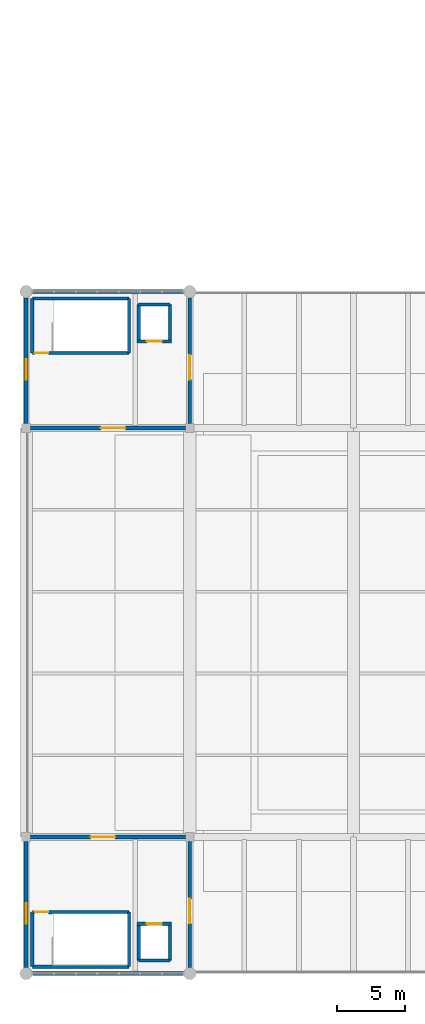
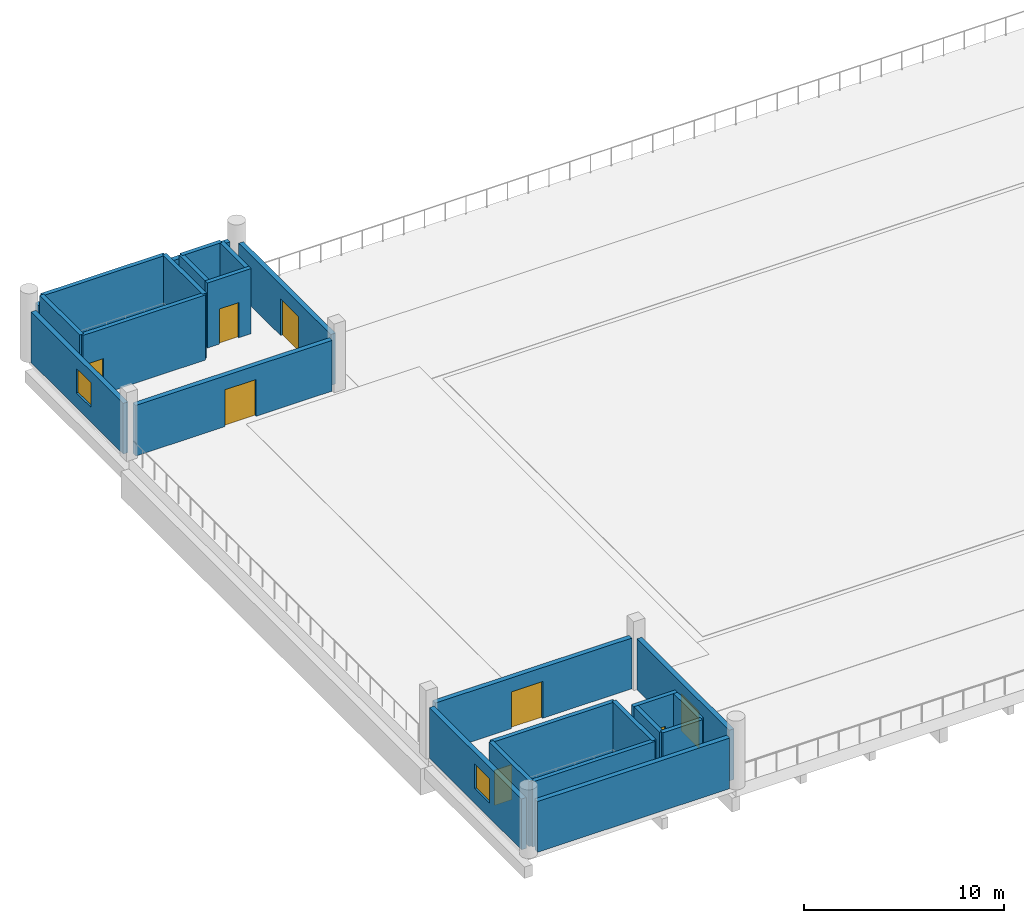
# One storey, part 102 of 111: 24 walls, 8 doors, 2 windows, 10 openings.
"""IFC4 building model written with IfcOpenShell, lengths in metres."""

import ifcopenshell
import ifcopenshell.guid

model = None  # the IFC model being written
_history = None  # IfcOwnerHistory: only IFC2X3 demands one
_inside = {}  # id of a spatial element -> (the spatial element, [elements in it])
_under = {}  # id of a project, library or spatial element -> (it, [spatial elements below it])
_declared = {}  # id of a project -> (the project, [libraries it declares])
_typed = {}  # id of a type object -> (the type object, [elements of that type])
_made_of = {}  # id of a material, layer set ... -> (it, [elements and type objects made of it])


def new_model(schema):
    """Start an empty IFC model of exactly this schema.

    Asked for "IFC4X3", IfcOpenShell would pick the latest addendum, in which some entities
    have other attributes; the version numbers below select the first issue.
    IFC2X3 requires an IfcOwnerHistory on every rooted entity: one is made here for all.
    """
    global model, _history
    if schema == "IFC4X3":
        model = ifcopenshell.file(schema_version=(4, 3, 0, 0))
    else:
        model = ifcopenshell.file(schema=schema)
    _inside.clear()
    _under.clear()
    _declared.clear()
    _typed.clear()
    _made_of.clear()
    _history = None
    if model.schema == "IFC2X3":
        org = make("IfcOrganization", Name="unknown")
        user = make(
            "IfcPersonAndOrganization",
            ThePerson=make("IfcPerson", FamilyName="unknown"),
            TheOrganization=org,
        )
        app = make(
            "IfcApplication",
            ApplicationDeveloper=org,
            Version="unknown",
            ApplicationFullName="unknown",
            ApplicationIdentifier="unknown",
        )
        _history = make(
            "IfcOwnerHistory",
            OwningUser=user,
            OwningApplication=app,
            ChangeAction="ADDED",
            CreationDate=0,
        )
    return model


def make(cls, **values):
    """One entity of the class cls with the attributes given. An attribute that is None is left unset."""
    return model.create_entity(
        cls, **{name: value for name, value in values.items() if value is not None}
    )


def rooted(cls, **values):
    """An entity with a GlobalId (a new one), such as an element, a storey or a relation."""
    return make(cls, GlobalId=ifcopenshell.guid.new(), OwnerHistory=_history, **values)


def si_unit(unit_type, name, prefix=None):
    """IfcSIUnit, for example si_unit("LENGTHUNIT", "METRE", prefix="MILLI")."""
    return make("IfcSIUnit", UnitType=unit_type, Prefix=prefix, Name=name)


def assignment(units):
    """IfcUnitAssignment: the units of a project."""
    return None if units is None else make("IfcUnitAssignment", Units=units)


def point(xyz):
    """IfcCartesianPoint."""
    return None if xyz is None else make("IfcCartesianPoint", Coordinates=xyz)


def direction(xyz):
    """IfcDirection."""
    return None if xyz is None else make("IfcDirection", DirectionRatios=xyz)


def frame(location, z_axis=None, x_axis=None):
    """IfcAxis2Placement3D, a coordinate frame: its origin and axes. An axis left out is left unset."""
    return make(
        "IfcAxis2Placement3D",
        Location=point(location),
        Axis=direction(z_axis),
        RefDirection=direction(x_axis),
    )


def frame_2d(location, x_axis=None):
    """IfcAxis2Placement2D, a coordinate frame in the plane: its origin and x axis."""
    return make(
        "IfcAxis2Placement2D", Location=point(location), RefDirection=direction(x_axis)
    )


def origin():
    """The frame at (0, 0, 0) with its axes left unset."""
    return frame((0.0, 0.0, 0.0))


def place(relative_to, where):
    """IfcLocalPlacement: puts the frame where relative to a parent placement (None: the world)."""
    return make(
        "IfcLocalPlacement", PlacementRelTo=relative_to, RelativePlacement=where
    )


def context(
    kind, dimensions, precision=None, world=None, true_north=None, identifier=None
):
    """IfcGeometricRepresentationContext, for example the 3D "Model" context."""
    return make(
        "IfcGeometricRepresentationContext",
        ContextIdentifier=identifier,
        ContextType=kind,
        CoordinateSpaceDimension=dimensions,
        Precision=precision,
        WorldCoordinateSystem=world,
        TrueNorth=true_north,
    )


def subcontext(parent, identifier, kind, view, scale=None):
    """IfcGeometricRepresentationSubContext, for example "Body" below "Model"."""
    return make(
        "IfcGeometricRepresentationSubContext",
        ContextIdentifier=identifier,
        ContextType=kind,
        ParentContext=parent,
        TargetScale=scale,
        TargetView=view,
    )


def project(units=None, contexts=None):
    """IfcProject with its units and contexts."""
    return rooted(
        "IfcProject",
        Name="project",
        RepresentationContexts=contexts,
        UnitsInContext=assignment(units),
    )


def spatial(cls, under=None, at=None, **own):
    """A site, building, storey or space (cls), placed at a placement, below another one or the project."""
    s = rooted(cls, ObjectPlacement=at, **own)
    if under is not None:
        _under.setdefault(under.id(), (under, []))[1].append(s)
    return s


def profile(cls, at=None, kind="AREA", **sizes):
    """A parametric profile (cls). Its sizes go by their IFC names, for example OverallWidth=200.0."""
    return make(cls, ProfileType=kind, Position=at, **sizes)


def rectangle(**sizes):
    """IfcRectangleProfileDef."""
    return profile("IfcRectangleProfileDef", **sizes)


def extrude(swept, where, along, depth):
    """IfcExtrudedAreaSolid: the profile swept, set in the frame where, extruded along a direction by depth."""
    return make(
        "IfcExtrudedAreaSolid",
        SweptArea=swept,
        Position=where,
        ExtrudedDirection=direction(along),
        Depth=depth,
    )


def shape(context_of_items, identifier, shape_type, items):
    """IfcShapeRepresentation: the items that make up one representation, for example the "Body"."""
    return make(
        "IfcShapeRepresentation",
        ContextOfItems=context_of_items,
        RepresentationIdentifier=identifier,
        RepresentationType=shape_type,
        Items=items,
    )


def material(Name=None, Category=None):
    """IfcMaterial."""
    return make("IfcMaterial", Name=Name, Category=Category)


def layer(
    of_material, thickness, ventilated=None, Name=None, Category=None, Priority=None
):
    """IfcMaterialLayer: one layer of a wall or slab, of a material (None: an air gap)."""
    return make(
        "IfcMaterialLayer",
        Material=of_material,
        LayerThickness=thickness,
        IsVentilated=ventilated,
        Name=Name,
        Category=Category,
        Priority=Priority,
    )


def layer_set(layers, Name=None):
    """IfcMaterialLayerSet."""
    return make("IfcMaterialLayerSet", MaterialLayers=layers, LayerSetName=Name)


def made_of(thing, what):
    """Note that an element or type object is made of a material, layer set ...; save() writes the relation."""
    if what is not None:
        _made_of.setdefault(what.id(), (what, []))[1].append(thing)
    return thing


def type_object(cls, material=None, **own):
    """A type object (cls), such as IfcWallType, which elements share."""
    return made_of(rooted(cls, **own), material)


def element(
    cls,
    number,
    at=None,
    inside=None,
    cuts=None,
    type_object=None,
    material=None,
    context=None,
    identifier="Body",
    shape_type=None,
    held_by="IfcProductDefinitionShape",
    body=None,
    shapes=None,
    **own,
):
    """One element of the class cls, such as IfcWall. Its Tag is "e" and its number.

    at: its placement. inside: the storey or other place that contains it. cuts: it is an
    opening in that element (IfcRelVoidsElement). A single representation is given by context,
    identifier, shape_type and body (its items); several are given by shapes. held_by: the class
    of the entity that holds the representations. save() writes the other relations.
    """
    e = rooted(cls, Tag="e%d" % number, ObjectPlacement=at, **own)
    if body is not None:
        shapes = [shape(context, identifier, shape_type, body)]
    if shapes is not None:
        e.Representation = make(held_by, Representations=shapes)
    if inside is not None:
        _inside.setdefault(inside.id(), (inside, []))[1].append(e)
    if cuts is not None:
        rooted(
            "IfcRelVoidsElement", RelatingBuildingElement=cuts, RelatedOpeningElement=e
        )
    if type_object is not None:
        _typed.setdefault(type_object.id(), (type_object, []))[1].append(e)
    return made_of(e, material)


def fill(opening, filler):
    """IfcRelFillsElement: the door or window that sits in an opening."""
    return rooted(
        "IfcRelFillsElement",
        RelatingOpeningElement=opening,
        RelatedBuildingElement=filler,
    )


def aggregate(whole, parts):
    """IfcRelAggregates: a whole, such as a stair, and the parts it consists of."""
    return rooted("IfcRelAggregates", RelatingObject=whole, RelatedObjects=parts)


def save(model, path):
    """Write the relations noted so far, then the file.

    IfcRelAggregates (storeys below a building ...), IfcRelContainedInSpatialStructure (elements
    in a storey), IfcRelDefinesByType, IfcRelAssociatesMaterial and IfcRelDeclares: one each for
    every whole, place, type object, material and project.
    """
    for whole, parts in _under.values():
        aggregate(whole, parts)
    for where, things in _inside.values():
        rooted(
            "IfcRelContainedInSpatialStructure",
            RelatedElements=things,
            RelatingStructure=where,
        )
    for kind, things in _typed.values():
        rooted("IfcRelDefinesByType", RelatedObjects=things, RelatingType=kind)
    for what, things in _made_of.values():
        rooted("IfcRelAssociatesMaterial", RelatedObjects=things, RelatingMaterial=what)
    for by, libraries in _declared.values():
        rooted("IfcRelDeclares", RelatingContext=by, RelatedDefinitions=libraries)
    model.write(path)


model = new_model("IFC4")

# Units and contexts
model_context = context("Model", 3, precision=1e-05, world=origin(), true_north=direction((0.0, 1.0)))
body_context = subcontext(model_context, "Body", "Model", "MODEL_VIEW")
ifc_project = project(units=[si_unit("LENGTHUNIT", "METRE"), si_unit("AREAUNIT", "SQUARE_METRE"), si_unit("VOLUMEUNIT", "CUBIC_METRE"), si_unit("PLANEANGLEUNIT", "RADIAN"), si_unit("MASSUNIT", "GRAM", prefix="KILO")], contexts=[model_context])

# Site, building, storey
site_placement = place(None, origin())
site = spatial("IfcSite", under=ifc_project, at=site_placement, CompositionType="ELEMENT")
building_placement = place(site_placement, origin())
building = spatial("IfcBuilding", under=site, at=building_placement, Name="Mersad Railyard Sports Hall", CompositionType="ELEMENT")
storey_placement = place(building_placement, frame((0.0, 0.0, 9.0)))
storey = spatial("IfcBuildingStorey", under=building, at=storey_placement, Name="L02", CompositionType="ELEMENT", Elevation=9.0)

# Wall, opening, window
ifc_material_1 = material(Name="Precast concrete C45/55", Category="concrete")
ifc_layer_1 = layer(ifc_material_1, 0.280029296875)
ifc_layer_set_1 = layer_set([ifc_layer_1], Name="Precast concrete C45/55")
wall_type_1 = type_object("IfcWallType", Name="ARC-WL-EW03", PredefinedType="SOLIDWALL", material=ifc_layer_set_1)
wall_1_placement = place(storey_placement, frame((7.0, 3.949951171875, 0.0), z_axis=(0.0, 0.0, 1.0), x_axis=(0.0, 1.0, 0.0)))
wall_1 = element("IfcWall", 1, at=wall_1_placement, inside=storey, type_object=wall_type_1, Name="External wall EW03-0057", PredefinedType="SOLIDWALL", context=body_context, shape_type="SweptSolid", body=[
    extrude(rectangle(XDim=9.22509765625, YDim=0.280029296875, at=frame_2d((4.612548828125, 0.0))), origin(), (0.0, 0.0, 1.0), 3.10009765625),
])
opening_1_placement = place(wall_1_placement, frame((3.199951171875, 0.0, 0.89990234375)))
opening_1 = element("IfcOpeningElement", 2, at=opening_1_placement, cuts=wall_1, Name="Opening W03", PredefinedType="OPENING", context=body_context, shape_type="SweptSolid", body=[
    extrude(rectangle(XDim=1.5, YDim=1.5, at=frame_2d((0.75, 0.75))), frame((0.0, 0.14990234375, 0.0), z_axis=(0.0, -1.0, 0.0), x_axis=(1.0, 0.0, 0.0)), (0.0, 0.0, 1.0), 0.300048828125),
])
ifc_material_2 = material(Name="Solar-control glass", Category="glass")
window_type = type_object("IfcWindowType", Name="ARC-WN-W03", PartitioningType="SINGLE_PANEL", PredefinedType="WINDOW", material=ifc_material_2)
window_1_placement = place(opening_1_placement, origin())
window_1 = element("IfcWindow", 3, at=window_1_placement, inside=storey, type_object=window_type, Name="Window W03-0009", OverallHeight=1.5, OverallWidth=1.5, PartitioningType="SINGLE_PANEL", PredefinedType="WINDOW", context=body_context, shape_type="SweptSolid", body=[
    extrude(rectangle(XDim=1.5, YDim=1.5, at=frame_2d((0.75, 0.75))), frame((0.0, 0.030029296875, 0.0), z_axis=(0.0, -1.0, 0.0), x_axis=(1.0, 0.0, 0.0)), (0.0, 0.0, 1.0), 0.06005859375),
])
fill(opening_1, window_1)

# Wall, opening, door
wall_2_placement = place(storey_placement, frame((7.324951171875, 13.5, 0.0), z_axis=(0.0, 0.0, 1.0), x_axis=(1.0, 0.0, 0.0)))
wall_2 = element("IfcWall", 4, at=wall_2_placement, inside=storey, type_object=wall_type_1, Name="External wall EW03-0058", PredefinedType="SOLIDWALL", context=body_context, shape_type="SweptSolid", body=[
    extrude(rectangle(XDim=11.35009765625, YDim=0.280029296875, at=frame_2d((5.675048828125, 0.0))), origin(), (0.0, 0.0, 1.0), 3.10009765625),
])
opening_2_placement = place(wall_2_placement, frame((4.39990234375, 0.0, 0.0)))
opening_2 = element("IfcOpeningElement", 5, at=opening_2_placement, cuts=wall_2, Name="Opening TD01", PredefinedType="OPENING", context=body_context, shape_type="SweptSolid", body=[
    extrude(rectangle(XDim=1.800048828125, YDim=2.25, at=frame_2d((0.89990234375, 1.125))), frame((0.0, 0.14990234375, 0.0), z_axis=(0.0, -1.0, 0.0), x_axis=(1.0, 0.0, 0.0)), (0.0, 0.0, 1.0), 0.300048828125),
])
ifc_material_3 = material(Name="Aluminium 6063-T6", Category="aluminium")
door_type_1 = type_object("IfcDoorType", Name="ARC-DR-TD01", OperationType="NOTDEFINED", PredefinedType="DOOR", material=ifc_material_3)
door_1_placement = place(opening_2_placement, origin())
door_1 = element("IfcDoor", 6, at=door_1_placement, inside=storey, type_object=door_type_1, Name="SW rooftop pitch door TD01-009", OperationType="DOUBLE_DOOR_SINGLE_SWING", OverallHeight=2.25, OverallWidth=1.800048828125, PredefinedType="DOOR", context=body_context, shape_type="SweptSolid", body=[
    extrude(rectangle(XDim=1.800048828125, YDim=2.25, at=frame_2d((0.89990234375, 1.125))), frame((0.0, 0.02490234375, 0.0), z_axis=(0.0, -1.0, 0.0), x_axis=(1.0, 0.0, 0.0)), (0.0, 0.0, 1.0), 0.050048828125),
])
fill(opening_2, door_1)

wall_3_placement = place(storey_placement, frame((19.0, 13.175048828125, 0.0), z_axis=(0.0, 0.0, 1.0), x_axis=(0.0, -1.0, 0.0)))
wall_3 = element("IfcWall", 7, at=wall_3_placement, inside=storey, type_object=wall_type_1, Name="External wall EW03-0059", PredefinedType="SOLIDWALL", context=body_context, shape_type="SweptSolid", body=[
    extrude(rectangle(XDim=9.22509765625, YDim=0.280029296875, at=frame_2d((4.612548828125, 0.0))), origin(), (0.0, 0.0, 1.0), 3.10009765625),
])
opening_3_placement = place(wall_3_placement, frame((4.199951171875, 0.0, 0.0)))
opening_3 = element("IfcOpeningElement", 8, at=opening_3_placement, cuts=wall_3, Name="Opening TD01", PredefinedType="OPENING", context=body_context, shape_type="SweptSolid", body=[
    extrude(rectangle(XDim=1.800048828125, YDim=2.25, at=frame_2d((0.89990234375, 1.125))), frame((0.0, 0.14990234375, 0.0), z_axis=(0.0, -1.0, 0.0), x_axis=(1.0, 0.0, 0.0)), (0.0, 0.0, 1.0), 0.300048828125),
])
door_2_placement = place(opening_3_placement, origin())
door_2 = element("IfcDoor", 9, at=door_2_placement, inside=storey, type_object=door_type_1, Name="SW rooftop pitch door TD01-010", OperationType="DOUBLE_DOOR_SINGLE_SWING", OverallHeight=2.25, OverallWidth=1.800048828125, PredefinedType="DOOR", context=body_context, shape_type="SweptSolid", body=[
    extrude(rectangle(XDim=1.800048828125, YDim=2.25, at=frame_2d((0.89990234375, 1.125))), frame((0.0, 0.02490234375, 0.0), z_axis=(0.0, -1.0, 0.0), x_axis=(1.0, 0.0, 0.0)), (0.0, 0.0, 1.0), 0.050048828125),
])
fill(opening_3, door_2)

# Wall
wall_4_placement = place(storey_placement, frame((18.550048828125, 3.5, 0.0), z_axis=(0.0, 0.0, 1.0), x_axis=(-1.0, 0.0, 0.0)))
element("IfcWall", 10, at=wall_4_placement, inside=storey, type_object=wall_type_1, Name="External wall EW03-0060", PredefinedType="SOLIDWALL", context=body_context, shape_type="SweptSolid", body=[
    extrude(rectangle(XDim=11.10009765625, YDim=0.280029296875, at=frame_2d((5.550048828125, 0.0))), origin(), (0.0, 0.0, 1.0), 3.10009765625),
])

# Wall, opening, window
wall_5_placement = place(storey_placement, frame((7.0, 43.824951171875, 0.0), z_axis=(0.0, 0.0, 1.0), x_axis=(0.0, 1.0, 0.0)))
wall_5 = element("IfcWall", 11, at=wall_5_placement, inside=storey, type_object=wall_type_1, Name="External wall EW03-0065", PredefinedType="SOLIDWALL", context=body_context, shape_type="SweptSolid", body=[
    extrude(rectangle(XDim=9.22509765625, YDim=0.280029296875, at=frame_2d((4.612548828125, 0.0))), origin(), (0.0, 0.0, 1.0), 3.10009765625),
])
opening_4_placement = place(wall_5_placement, frame((3.199951171875, 0.0, 0.89990234375)))
opening_4 = element("IfcOpeningElement", 12, at=opening_4_placement, cuts=wall_5, Name="Opening W03", PredefinedType="OPENING", context=body_context, shape_type="SweptSolid", body=[
    extrude(rectangle(XDim=1.5, YDim=1.5, at=frame_2d((0.75, 0.75))), frame((0.0, 0.14990234375, 0.0), z_axis=(0.0, -1.0, 0.0), x_axis=(1.0, 0.0, 0.0)), (0.0, 0.0, 1.0), 0.300048828125),
])
window_2_placement = place(opening_4_placement, origin())
window_2 = element("IfcWindow", 13, at=window_2_placement, inside=storey, type_object=window_type, Name="Window W03-0011", OverallHeight=1.5, OverallWidth=1.5, PartitioningType="SINGLE_PANEL", PredefinedType="WINDOW", context=body_context, shape_type="SweptSolid", body=[
    extrude(rectangle(XDim=1.5, YDim=1.5, at=frame_2d((0.75, 0.75))), frame((0.0, 0.030029296875, 0.0), z_axis=(0.0, -1.0, 0.0), x_axis=(1.0, 0.0, 0.0)), (0.0, 0.0, 1.0), 0.06005859375),
])
fill(opening_4, window_2)

# Wall
wall_6_placement = place(storey_placement, frame((7.449951171875, 53.5, 0.0), z_axis=(0.0, 0.0, 1.0), x_axis=(1.0, 0.0, 0.0)))
element("IfcWall", 14, at=wall_6_placement, inside=storey, type_object=wall_type_1, Name="External wall EW03-0066", PredefinedType="SOLIDWALL", context=body_context, shape_type="SweptSolid", body=[
    extrude(rectangle(XDim=11.10009765625, YDim=0.280029296875, at=frame_2d((5.550048828125, 0.0))), origin(), (0.0, 0.0, 1.0), 3.10009765625),
])

# Wall, opening, door
wall_7_placement = place(storey_placement, frame((19.0, 53.050048828125, 0.0), z_axis=(0.0, 0.0, 1.0), x_axis=(0.0, -1.0, 0.0)))
wall_7 = element("IfcWall", 15, at=wall_7_placement, inside=storey, type_object=wall_type_1, Name="External wall EW03-0067", PredefinedType="SOLIDWALL", context=body_context, shape_type="SweptSolid", body=[
    extrude(rectangle(XDim=9.22509765625, YDim=0.280029296875, at=frame_2d((4.612548828125, 0.0))), origin(), (0.0, 0.0, 1.0), 3.10009765625),
])
opening_5_placement = place(wall_7_placement, frame((4.199951171875, 0.0, 0.0)))
opening_5 = element("IfcOpeningElement", 16, at=opening_5_placement, cuts=wall_7, Name="Opening TD01", PredefinedType="OPENING", context=body_context, shape_type="SweptSolid", body=[
    extrude(rectangle(XDim=1.800048828125, YDim=2.25, at=frame_2d((0.89990234375, 1.125))), frame((0.0, 0.14990234375, 0.0), z_axis=(0.0, -1.0, 0.0), x_axis=(1.0, 0.0, 0.0)), (0.0, 0.0, 1.0), 0.300048828125),
])
door_3_placement = place(opening_5_placement, origin())
door_3 = element("IfcDoor", 17, at=door_3_placement, inside=storey, type_object=door_type_1, Name="NW rooftop pitch door TD01-013", OperationType="DOUBLE_DOOR_SINGLE_SWING", OverallHeight=2.25, OverallWidth=1.800048828125, PredefinedType="DOOR", context=body_context, shape_type="SweptSolid", body=[
    extrude(rectangle(XDim=1.800048828125, YDim=2.25, at=frame_2d((0.89990234375, 1.125))), frame((0.0, 0.02490234375, 0.0), z_axis=(0.0, -1.0, 0.0), x_axis=(1.0, 0.0, 0.0)), (0.0, 0.0, 1.0), 0.050048828125),
])
fill(opening_5, door_3)

wall_8_placement = place(storey_placement, frame((18.675048828125, 43.5, 0.0), z_axis=(0.0, 0.0, 1.0), x_axis=(-1.0, 0.0, 0.0)))
wall_8 = element("IfcWall", 18, at=wall_8_placement, inside=storey, type_object=wall_type_1, Name="External wall EW03-0068", PredefinedType="SOLIDWALL", context=body_context, shape_type="SweptSolid", body=[
    extrude(rectangle(XDim=11.35009765625, YDim=0.280029296875, at=frame_2d((5.675048828125, 0.0))), origin(), (0.0, 0.0, 1.0), 3.10009765625),
])
opening_6_placement = place(wall_8_placement, frame((4.39990234375, 0.0, 0.0)))
opening_6 = element("IfcOpeningElement", 19, at=opening_6_placement, cuts=wall_8, Name="Opening TD01", PredefinedType="OPENING", context=body_context, shape_type="SweptSolid", body=[
    extrude(rectangle(XDim=1.800048828125, YDim=2.25, at=frame_2d((0.89990234375, 1.125))), frame((0.0, 0.14990234375, 0.0), z_axis=(0.0, -1.0, 0.0), x_axis=(1.0, 0.0, 0.0)), (0.0, 0.0, 1.0), 0.300048828125),
])
door_4_placement = place(opening_6_placement, origin())
door_4 = element("IfcDoor", 20, at=door_4_placement, inside=storey, type_object=door_type_1, Name="NW rooftop pitch door TD01-014", OperationType="DOUBLE_DOOR_SINGLE_SWING", OverallHeight=2.25, OverallWidth=1.800048828125, PredefinedType="DOOR", context=body_context, shape_type="SweptSolid", body=[
    extrude(rectangle(XDim=1.800048828125, YDim=2.25, at=frame_2d((0.89990234375, 1.125))), frame((0.0, 0.02490234375, 0.0), z_axis=(0.0, -1.0, 0.0), x_axis=(1.0, 0.0, 0.0)), (0.0, 0.0, 1.0), 0.050048828125),
])
fill(opening_6, door_4)

# Walls
ifc_material_4 = material(Name="Concrete C40/50", Category="concrete")
ifc_layer_2 = layer(ifc_material_4, 0.239990234375)
ifc_layer_set_2 = layer_set([ifc_layer_2], Name="Concrete C40/50")
wall_type_2 = type_object("IfcWallType", Name="STR-WL-SW03", PredefinedType="SHEAR", material=ifc_layer_set_2)
for number, where, z_axis, x_axis, name in (
    (21, (15.25, 4.449951171875, 0.0), (0.0, 0.0, 1.0), (0.0, 1.0, 0.0), "Interior wall SW03-0114"),
    (22, (17.550048828125, 7.14990234375, 0.0), (0.0, 0.0, 1.0), (0.0, -1.0, 0.0), "Interior wall SW03-0115"),
):
    element("IfcWall", number, at=place(storey_placement, frame(where, z_axis=z_axis, x_axis=x_axis)), inside=storey, type_object=wall_type_2, Name=name, PredefinedType="SHEAR", context=body_context, shape_type="SweptSolid", body=[
        extrude(rectangle(XDim=2.699951171875, YDim=0.239990234375, at=frame_2d((1.35009765625, 0.0))), origin(), (0.0, 0.0, 1.0), 3.97998046875),
    ])
wall_9_placement = place(storey_placement, frame((17.550048828125, 4.449951171875, 0.0), z_axis=(0.0, 0.0, 1.0), x_axis=(-1.0, 0.0, 0.0)))
element("IfcWall", 23, at=wall_9_placement, inside=storey, type_object=wall_type_2, Name="Interior wall SW03-0116", PredefinedType="SHEAR", context=body_context, shape_type="SweptSolid", body=[
    extrude(rectangle(XDim=2.300048828125, YDim=0.239990234375, at=frame_2d((1.14990234375, 0.0))), origin(), (0.0, 0.0, 1.0), 3.97998046875),
])

# Wall, opening, door
wall_10_placement = place(storey_placement, frame((15.1298828125, 7.14990234375, 0.0), z_axis=(0.0, 0.0, 1.0), x_axis=(1.0, 0.0, 0.0)))
wall_10 = element("IfcWall", 24, at=wall_10_placement, inside=storey, type_object=wall_type_2, Name="Interior wall SW03-0117", PredefinedType="SHEAR", context=body_context, shape_type="SweptSolid", body=[
    extrude(rectangle(XDim=2.5400390625, YDim=0.239990234375, at=frame_2d((1.27001953125, 0.0))), origin(), (0.0, 0.0, 1.0), 3.97998046875),
])
opening_7_placement = place(wall_10_placement, frame((0.719970703125, 0.0, 0.0)))
opening_7 = element("IfcOpeningElement", 25, at=opening_7_placement, cuts=wall_10, Name="Opening LD01", PredefinedType="OPENING", context=body_context, shape_type="SweptSolid", body=[
    extrude(rectangle(XDim=1.10009765625, YDim=2.14990234375, at=frame_2d((0.550048828125, 1.074951171875))), frame((0.0, 0.1298828125, 0.0), z_axis=(0.0, -1.0, 0.0), x_axis=(1.0, 0.0, 0.0)), (0.0, 0.0, 1.0), 0.260009765625),
])
ifc_material_5 = material(Name="Steel S355", Category="steel")
door_type_2 = type_object("IfcDoorType", Name="ARC-DR-LD01", OperationType="NOTDEFINED", PredefinedType="USERDEFINED", material=ifc_material_5)
door_5_placement = place(opening_7_placement, origin())
door_5 = element("IfcDoor", 26, at=door_5_placement, inside=storey, type_object=door_type_2, Name="Lift PL-07 landing door LD01-0031", ObjectType="LANDING DOOR", OperationType="DOUBLE_DOOR_SLIDING", OverallHeight=2.14990234375, OverallWidth=1.10009765625, PredefinedType="USERDEFINED", context=body_context, shape_type="SweptSolid", body=[
    extrude(rectangle(XDim=1.10009765625, YDim=2.14990234375, at=frame_2d((0.550048828125, 1.074951171875))), frame((0.0, 0.02490234375, 0.0), z_axis=(0.0, -1.0, 0.0), x_axis=(1.0, 0.0, 0.0)), (0.0, 0.0, 1.0), 0.050048828125),
])
fill(opening_7, door_5)

# Walls
for number, where, z_axis, x_axis, name in (
    (27, (15.25, 49.85009765625, 0.0), (0.0, 0.0, 1.0), (0.0, 1.0, 0.0), "Interior wall SW03-0136"),
    (28, (17.550048828125, 52.550048828125, 0.0), (0.0, 0.0, 1.0), (0.0, -1.0, 0.0), "Interior wall SW03-0137"),
):
    element("IfcWall", number, at=place(storey_placement, frame(where, z_axis=z_axis, x_axis=x_axis)), inside=storey, type_object=wall_type_2, Name=name, PredefinedType="SHEAR", context=body_context, shape_type="SweptSolid", body=[
        extrude(rectangle(XDim=2.699951171875, YDim=0.239990234375, at=frame_2d((1.35009765625, 0.0))), origin(), (0.0, 0.0, 1.0), 3.97998046875),
    ])
wall_11_placement = place(storey_placement, frame((15.25, 52.550048828125, 0.0), z_axis=(0.0, 0.0, 1.0), x_axis=(1.0, 0.0, 0.0)))
element("IfcWall", 29, at=wall_11_placement, inside=storey, type_object=wall_type_2, Name="Interior wall SW03-0138", PredefinedType="SHEAR", context=body_context, shape_type="SweptSolid", body=[
    extrude(rectangle(XDim=2.300048828125, YDim=0.239990234375, at=frame_2d((1.14990234375, 0.0))), origin(), (0.0, 0.0, 1.0), 3.97998046875),
])

# Wall, opening, door
wall_12_placement = place(storey_placement, frame((17.669921875, 49.85009765625, 0.0), z_axis=(0.0, 0.0, 1.0), x_axis=(-1.0, 0.0, 0.0)))
wall_12 = element("IfcWall", 30, at=wall_12_placement, inside=storey, type_object=wall_type_2, Name="Interior wall SW03-0139", PredefinedType="SHEAR", context=body_context, shape_type="SweptSolid", body=[
    extrude(rectangle(XDim=2.5400390625, YDim=0.239990234375, at=frame_2d((1.27001953125, 0.0))), origin(), (0.0, 0.0, 1.0), 3.97998046875),
])
opening_8_placement = place(wall_12_placement, frame((0.719970703125, 0.0, 0.0)))
opening_8 = element("IfcOpeningElement", 31, at=opening_8_placement, cuts=wall_12, Name="Opening LD01", PredefinedType="OPENING", context=body_context, shape_type="SweptSolid", body=[
    extrude(rectangle(XDim=1.10009765625, YDim=2.14990234375, at=frame_2d((0.550048828125, 1.074951171875))), frame((0.0, 0.1298828125, 0.0), z_axis=(0.0, -1.0, 0.0), x_axis=(1.0, 0.0, 0.0)), (0.0, 0.0, 1.0), 0.260009765625),
])
door_6_placement = place(opening_8_placement, origin())
door_6 = element("IfcDoor", 32, at=door_6_placement, inside=storey, type_object=door_type_2, Name="Lift PL-09 landing door LD01-0037", ObjectType="LANDING DOOR", OperationType="DOUBLE_DOOR_SLIDING", OverallHeight=2.14990234375, OverallWidth=1.10009765625, PredefinedType="USERDEFINED", context=body_context, shape_type="SweptSolid", body=[
    extrude(rectangle(XDim=1.10009765625, YDim=2.14990234375, at=frame_2d((0.550048828125, 1.074951171875))), frame((0.0, 0.02490234375, 0.0), z_axis=(0.0, -1.0, 0.0), x_axis=(1.0, 0.0, 0.0)), (0.0, 0.0, 1.0), 0.050048828125),
])
fill(opening_8, door_6)

# Walls
for number, where, z_axis, x_axis, name in (
    (33, (7.449951171875, 4.0, 0.0), (0.0, 0.0, 1.0), (0.0, 1.0, 0.0), "Interior wall SW03-0308"),
    (34, (14.550048828125, 4.0, 0.0), (0.0, 0.0, 1.0), (0.0, 1.0, 0.0), "Interior wall SW03-0309"),
):
    element("IfcWall", number, at=place(storey_placement, frame(where, z_axis=z_axis, x_axis=x_axis)), inside=storey, type_object=wall_type_2, Name=name, PredefinedType="SHEAR", context=body_context, shape_type="SweptSolid", body=[
        extrude(rectangle(XDim=4.0, YDim=0.239990234375, at=frame_2d((2.0, 0.0))), origin(), (0.0, 0.0, 1.0), 3.97998046875),
    ])
wall_13_placement = place(storey_placement, frame((7.449951171875, 4.0, 0.0), z_axis=(0.0, 0.0, 1.0), x_axis=(1.0, 0.0, 0.0)))
element("IfcWall", 35, at=wall_13_placement, inside=storey, type_object=wall_type_2, Name="Interior wall SW03-0310", PredefinedType="SHEAR", context=body_context, shape_type="SweptSolid", body=[
    extrude(rectangle(XDim=7.10009765625, YDim=0.239990234375, at=frame_2d((3.550048828125, 0.0))), origin(), (0.0, 0.0, 1.0), 3.97998046875),
])

# Wall, opening, door
wall_14_placement = place(storey_placement, frame((7.449951171875, 8.0, 0.0), z_axis=(0.0, 0.0, 1.0), x_axis=(1.0, 0.0, 0.0)))
wall_14 = element("IfcWall", 36, at=wall_14_placement, inside=storey, type_object=wall_type_2, Name="Interior wall SW03-0311", PredefinedType="SHEAR", context=body_context, shape_type="SweptSolid", body=[
    extrude(rectangle(XDim=7.10009765625, YDim=0.239990234375, at=frame_2d((3.550048828125, 0.0))), origin(), (0.0, 0.0, 1.0), 3.97998046875),
])
opening_9_placement = place(wall_14_placement, frame((0.179931640625, 0.0, 0.0)))
opening_9 = element("IfcOpeningElement", 37, at=opening_9_placement, cuts=wall_14, Name="Opening FD02", PredefinedType="OPENING", context=body_context, shape_type="SweptSolid", body=[
    extrude(rectangle(XDim=1.0, YDim=2.14990234375, at=frame_2d((0.5, 1.074951171875))), frame((0.0, 0.1298828125, 0.0), z_axis=(0.0, -1.0, 0.0), x_axis=(1.0, 0.0, 0.0)), (0.0, 0.0, 1.0), 0.260009765625),
])
door_type_3 = type_object("IfcDoorType", Name="ARC-DR-FD02", OperationType="NOTDEFINED", PredefinedType="DOOR", material=ifc_material_5)
door_7_placement = place(opening_9_placement, origin())
door_7 = element("IfcDoor", 38, at=door_7_placement, inside=storey, type_object=door_type_3, Name="SW pavilion stair door FD02-0141", OperationType="SINGLE_SWING_RIGHT", OverallHeight=2.14990234375, OverallWidth=1.0, PredefinedType="DOOR", context=body_context, shape_type="SweptSolid", body=[
    extrude(rectangle(XDim=1.0, YDim=2.14990234375, at=frame_2d((0.5, 1.074951171875))), frame((0.0, 0.02490234375, 0.0), z_axis=(0.0, -1.0, 0.0), x_axis=(1.0, 0.0, 0.0)), (0.0, 0.0, 1.0), 0.050048828125),
])
fill(opening_9, door_7)

# Walls
for number, where, z_axis, x_axis, name in (
    (39, (7.449951171875, 49.0, 0.0), (0.0, 0.0, 1.0), (0.0, 1.0, 0.0), "Interior wall SW03-0333"),
    (40, (14.550048828125, 49.0, 0.0), (0.0, 0.0, 1.0), (0.0, 1.0, 0.0), "Interior wall SW03-0334"),
):
    element("IfcWall", number, at=place(storey_placement, frame(where, z_axis=z_axis, x_axis=x_axis)), inside=storey, type_object=wall_type_2, Name=name, PredefinedType="SHEAR", context=body_context, shape_type="SweptSolid", body=[
        extrude(rectangle(XDim=4.0, YDim=0.239990234375, at=frame_2d((2.0, 0.0))), origin(), (0.0, 0.0, 1.0), 3.97998046875),
    ])
wall_15_placement = place(storey_placement, frame((7.449951171875, 53.0, 0.0), z_axis=(0.0, 0.0, 1.0), x_axis=(1.0, 0.0, 0.0)))
element("IfcWall", 41, at=wall_15_placement, inside=storey, type_object=wall_type_2, Name="Interior wall SW03-0335", PredefinedType="SHEAR", context=body_context, shape_type="SweptSolid", body=[
    extrude(rectangle(XDim=7.10009765625, YDim=0.239990234375, at=frame_2d((3.550048828125, 0.0))), origin(), (0.0, 0.0, 1.0), 3.97998046875),
])

# Wall, opening, door
wall_16_placement = place(storey_placement, frame((7.449951171875, 49.0, 0.0), z_axis=(0.0, 0.0, 1.0), x_axis=(1.0, 0.0, 0.0)))
wall_16 = element("IfcWall", 42, at=wall_16_placement, inside=storey, type_object=wall_type_2, Name="Interior wall SW03-0336", PredefinedType="SHEAR", context=body_context, shape_type="SweptSolid", body=[
    extrude(rectangle(XDim=7.10009765625, YDim=0.239990234375, at=frame_2d((3.550048828125, 0.0))), origin(), (0.0, 0.0, 1.0), 3.97998046875),
])
opening_10_placement = place(wall_16_placement, frame((0.179931640625, 0.0, 0.0)))
opening_10 = element("IfcOpeningElement", 43, at=opening_10_placement, cuts=wall_16, Name="Opening FD02", PredefinedType="OPENING", context=body_context, shape_type="SweptSolid", body=[
    extrude(rectangle(XDim=1.0, YDim=2.14990234375, at=frame_2d((0.5, 1.074951171875))), frame((0.0, 0.1298828125, 0.0), z_axis=(0.0, -1.0, 0.0), x_axis=(1.0, 0.0, 0.0)), (0.0, 0.0, 1.0), 0.260009765625),
])
door_8_placement = place(opening_10_placement, origin())
door_8 = element("IfcDoor", 44, at=door_8_placement, inside=storey, type_object=door_type_3, Name="NW pavilion stair door FD02-0151", OperationType="SINGLE_SWING_RIGHT", OverallHeight=2.14990234375, OverallWidth=1.0, PredefinedType="DOOR", context=body_context, shape_type="SweptSolid", body=[
    extrude(rectangle(XDim=1.0, YDim=2.14990234375, at=frame_2d((0.5, 1.074951171875))), frame((0.0, 0.02490234375, 0.0), z_axis=(0.0, -1.0, 0.0), x_axis=(1.0, 0.0, 0.0)), (0.0, 0.0, 1.0), 0.050048828125),
])
fill(opening_10, door_8)

save(model, "model.ifc")
